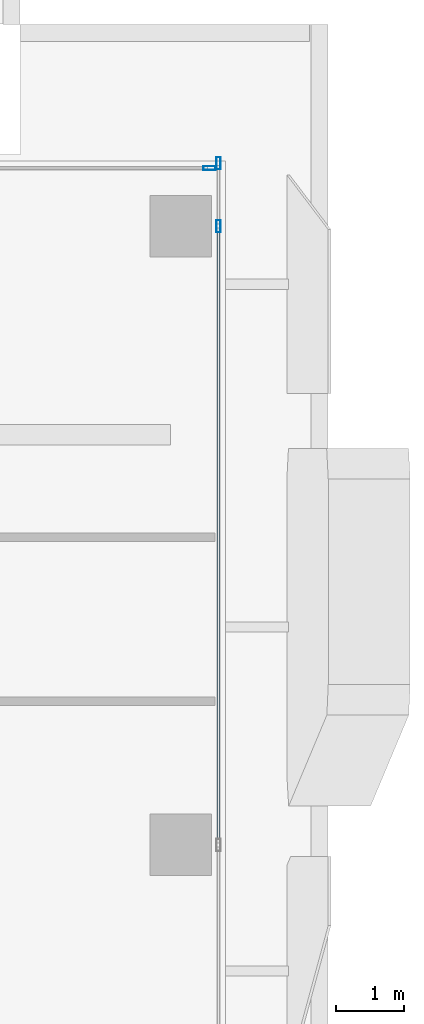
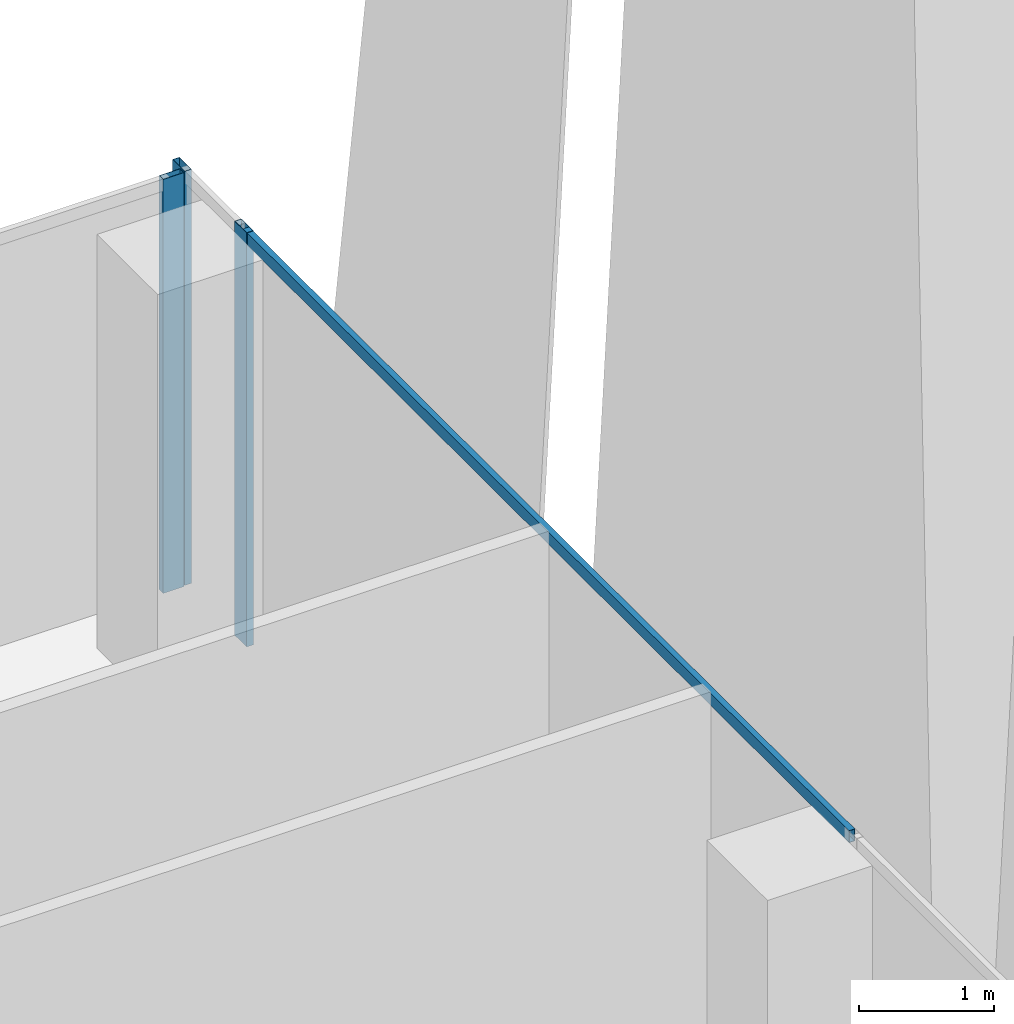
# One storey, part 19 of 33: 4 members, 2 elements without a shape of their own.
"""IFC4 building model written with IfcOpenShell, lengths in metres."""

import ifcopenshell
import ifcopenshell.guid

model = None  # the IFC model being written
_history = None  # IfcOwnerHistory: only IFC2X3 demands one
_inside = {}  # id of a spatial element -> (the spatial element, [elements in it])
_under = {}  # id of a project, library or spatial element -> (it, [spatial elements below it])
_declared = {}  # id of a project -> (the project, [libraries it declares])
_typed = {}  # id of a type object -> (the type object, [elements of that type])
_made_of = {}  # id of a material, layer set ... -> (it, [elements and type objects made of it])


def new_model(schema):
    """Start an empty IFC model of exactly this schema.

    Asked for "IFC4X3", IfcOpenShell would pick the latest addendum, in which some entities
    have other attributes; the version numbers below select the first issue.
    IFC2X3 requires an IfcOwnerHistory on every rooted entity: one is made here for all.
    """
    global model, _history
    if schema == "IFC4X3":
        model = ifcopenshell.file(schema_version=(4, 3, 0, 0))
    else:
        model = ifcopenshell.file(schema=schema)
    _inside.clear()
    _under.clear()
    _declared.clear()
    _typed.clear()
    _made_of.clear()
    _history = None
    if model.schema == "IFC2X3":
        org = make("IfcOrganization", Name="unknown")
        user = make(
            "IfcPersonAndOrganization",
            ThePerson=make("IfcPerson", FamilyName="unknown"),
            TheOrganization=org,
        )
        app = make(
            "IfcApplication",
            ApplicationDeveloper=org,
            Version="unknown",
            ApplicationFullName="unknown",
            ApplicationIdentifier="unknown",
        )
        _history = make(
            "IfcOwnerHistory",
            OwningUser=user,
            OwningApplication=app,
            ChangeAction="ADDED",
            CreationDate=0,
        )
    return model


def make(cls, **values):
    """One entity of the class cls with the attributes given. An attribute that is None is left unset."""
    return model.create_entity(
        cls, **{name: value for name, value in values.items() if value is not None}
    )


def rooted(cls, **values):
    """An entity with a GlobalId (a new one), such as an element, a storey or a relation."""
    return make(cls, GlobalId=ifcopenshell.guid.new(), OwnerHistory=_history, **values)


def si_unit(unit_type, name, prefix=None):
    """IfcSIUnit, for example si_unit("LENGTHUNIT", "METRE", prefix="MILLI")."""
    return make("IfcSIUnit", UnitType=unit_type, Prefix=prefix, Name=name)


def assignment(units):
    """IfcUnitAssignment: the units of a project."""
    return None if units is None else make("IfcUnitAssignment", Units=units)


def point(xyz):
    """IfcCartesianPoint."""
    return None if xyz is None else make("IfcCartesianPoint", Coordinates=xyz)


def direction(xyz):
    """IfcDirection."""
    return None if xyz is None else make("IfcDirection", DirectionRatios=xyz)


def frame(location, z_axis=None, x_axis=None):
    """IfcAxis2Placement3D, a coordinate frame: its origin and axes. An axis left out is left unset."""
    return make(
        "IfcAxis2Placement3D",
        Location=point(location),
        Axis=direction(z_axis),
        RefDirection=direction(x_axis),
    )


def frame_2d(location, x_axis=None):
    """IfcAxis2Placement2D, a coordinate frame in the plane: its origin and x axis."""
    return make(
        "IfcAxis2Placement2D", Location=point(location), RefDirection=direction(x_axis)
    )


def origin():
    """The frame at (0, 0, 0) with its axes left unset."""
    return frame((0.0, 0.0, 0.0))


def origin_2d():
    """The frame at (0, 0) in the plane with its x axis left unset."""
    return frame_2d((0.0, 0.0))


def place(relative_to, where):
    """IfcLocalPlacement: puts the frame where relative to a parent placement (None: the world)."""
    return make(
        "IfcLocalPlacement", PlacementRelTo=relative_to, RelativePlacement=where
    )


def context(
    kind, dimensions, precision=None, world=None, true_north=None, identifier=None
):
    """IfcGeometricRepresentationContext, for example the 3D "Model" context."""
    return make(
        "IfcGeometricRepresentationContext",
        ContextIdentifier=identifier,
        ContextType=kind,
        CoordinateSpaceDimension=dimensions,
        Precision=precision,
        WorldCoordinateSystem=world,
        TrueNorth=true_north,
    )


def subcontext(parent, identifier, kind, view, scale=None):
    """IfcGeometricRepresentationSubContext, for example "Body" below "Model"."""
    return make(
        "IfcGeometricRepresentationSubContext",
        ContextIdentifier=identifier,
        ContextType=kind,
        ParentContext=parent,
        TargetScale=scale,
        TargetView=view,
    )


def project(units=None, contexts=None):
    """IfcProject with its units and contexts."""
    return rooted(
        "IfcProject",
        Name="project",
        RepresentationContexts=contexts,
        UnitsInContext=assignment(units),
    )


def spatial(cls, under=None, at=None, **own):
    """A site, building, storey or space (cls), placed at a placement, below another one or the project."""
    s = rooted(cls, ObjectPlacement=at, **own)
    if under is not None:
        _under.setdefault(under.id(), (under, []))[1].append(s)
    return s


def profile(cls, at=None, kind="AREA", **sizes):
    """A parametric profile (cls). Its sizes go by their IFC names, for example OverallWidth=200.0."""
    return make(cls, ProfileType=kind, Position=at, **sizes)


def hollow_rectangle(**sizes):
    """IfcRectangleHollowProfileDef."""
    return profile("IfcRectangleHollowProfileDef", **sizes)


def extrude(swept, where, along, depth):
    """IfcExtrudedAreaSolid: the profile swept, set in the frame where, extruded along a direction by depth."""
    return make(
        "IfcExtrudedAreaSolid",
        SweptArea=swept,
        Position=where,
        ExtrudedDirection=direction(along),
        Depth=depth,
    )


def shape(context_of_items, identifier, shape_type, items):
    """IfcShapeRepresentation: the items that make up one representation, for example the "Body"."""
    return make(
        "IfcShapeRepresentation",
        ContextOfItems=context_of_items,
        RepresentationIdentifier=identifier,
        RepresentationType=shape_type,
        Items=items,
    )


def source(mapping_origin, context_of_items, identifier, shape_type, items):
    """IfcRepresentationMap: a shape defined once, which mapped items show again and again."""
    return make(
        "IfcRepresentationMap",
        MappingOrigin=mapping_origin,
        MappedRepresentation=shape(context_of_items, identifier, shape_type, items),
    )


def transform(
    local_origin,
    x_axis=None,
    y_axis=None,
    z_axis=None,
    scale=None,
    scale2=None,
    scale3=None,
    uniform=True,
):
    """IfcCartesianTransformationOperator3D, or its non-uniform kind. x_axis, y_axis, z_axis: its Axis1, 2, 3."""
    if uniform:
        return make(
            "IfcCartesianTransformationOperator3D",
            Axis1=direction(x_axis),
            Axis2=direction(y_axis),
            LocalOrigin=point(local_origin),
            Scale=scale,
            Axis3=direction(z_axis),
        )
    return make(
        "IfcCartesianTransformationOperator3DnonUniform",
        Axis1=direction(x_axis),
        Axis2=direction(y_axis),
        LocalOrigin=point(local_origin),
        Scale=scale,
        Axis3=direction(z_axis),
        Scale2=scale2,
        Scale3=scale3,
    )


def mapped(mapping_source, mapping_target):
    """IfcMappedItem: shows the shape of a source again, moved by a transform."""
    return make(
        "IfcMappedItem", MappingSource=mapping_source, MappingTarget=mapping_target
    )


def material(Name=None, Category=None):
    """IfcMaterial."""
    return make("IfcMaterial", Name=Name, Category=Category)


def material_profile(
    of_material, cross_section, Name=None, Category=None, Priority=None
):
    """IfcMaterialProfile: a cross section and its material."""
    return make(
        "IfcMaterialProfile",
        Name=Name,
        Material=of_material,
        Profile=cross_section,
        Priority=Priority,
        Category=Category,
    )


def profile_set(profiles, Name=None, composite=None):
    """IfcMaterialProfileSet."""
    return make(
        "IfcMaterialProfileSet",
        Name=Name,
        MaterialProfiles=profiles,
        CompositeProfile=composite,
    )


def made_of(thing, what):
    """Note that an element or type object is made of a material, layer set ...; save() writes the relation."""
    if what is not None:
        _made_of.setdefault(what.id(), (what, []))[1].append(thing)
    return thing


def type_object(cls, material=None, **own):
    """A type object (cls), such as IfcWallType, which elements share."""
    return made_of(rooted(cls, **own), material)


def element(
    cls,
    number,
    at=None,
    inside=None,
    cuts=None,
    type_object=None,
    material=None,
    context=None,
    identifier="Body",
    shape_type=None,
    held_by="IfcProductDefinitionShape",
    body=None,
    shapes=None,
    **own,
):
    """One element of the class cls, such as IfcWall. Its Tag is "e" and its number.

    at: its placement. inside: the storey or other place that contains it. cuts: it is an
    opening in that element (IfcRelVoidsElement). A single representation is given by context,
    identifier, shape_type and body (its items); several are given by shapes. held_by: the class
    of the entity that holds the representations. save() writes the other relations.
    """
    e = rooted(cls, Tag="e%d" % number, ObjectPlacement=at, **own)
    if body is not None:
        shapes = [shape(context, identifier, shape_type, body)]
    if shapes is not None:
        e.Representation = make(held_by, Representations=shapes)
    if inside is not None:
        _inside.setdefault(inside.id(), (inside, []))[1].append(e)
    if cuts is not None:
        rooted(
            "IfcRelVoidsElement", RelatingBuildingElement=cuts, RelatedOpeningElement=e
        )
    if type_object is not None:
        _typed.setdefault(type_object.id(), (type_object, []))[1].append(e)
    return made_of(e, material)


def aggregate(whole, parts):
    """IfcRelAggregates: a whole, such as a stair, and the parts it consists of."""
    return rooted("IfcRelAggregates", RelatingObject=whole, RelatedObjects=parts)


def save(model, path):
    """Write the relations noted so far, then the file.

    IfcRelAggregates (storeys below a building ...), IfcRelContainedInSpatialStructure (elements
    in a storey), IfcRelDefinesByType, IfcRelAssociatesMaterial and IfcRelDeclares: one each for
    every whole, place, type object, material and project.
    """
    for whole, parts in _under.values():
        aggregate(whole, parts)
    for where, things in _inside.values():
        rooted(
            "IfcRelContainedInSpatialStructure",
            RelatedElements=things,
            RelatingStructure=where,
        )
    for kind, things in _typed.values():
        rooted("IfcRelDefinesByType", RelatedObjects=things, RelatingType=kind)
    for what, things in _made_of.values():
        rooted("IfcRelAssociatesMaterial", RelatedObjects=things, RelatingMaterial=what)
    for by, libraries in _declared.values():
        rooted("IfcRelDeclares", RelatingContext=by, RelatedDefinitions=libraries)
    model.write(path)


model = new_model("IFC4")

# Units and contexts
model_context = context("Model", 3, precision=1e-05, world=origin(), true_north=direction((0.0, 1.0)))
body_context = subcontext(model_context, "Body", "Model", "MODEL_VIEW")
ifc_project = project(units=[si_unit("LENGTHUNIT", "METRE"), si_unit("AREAUNIT", "SQUARE_METRE"), si_unit("VOLUMEUNIT", "CUBIC_METRE"), si_unit("PLANEANGLEUNIT", "RADIAN"), si_unit("MASSUNIT", "GRAM", prefix="KILO")], contexts=[model_context])

# Site, building, storey
site_placement = place(None, origin())
site = spatial("IfcSite", under=ifc_project, at=site_placement, CompositionType="ELEMENT")
building_placement = place(site_placement, origin())
building = spatial("IfcBuilding", under=site, at=building_placement, Name="Khomas Fold Tower", CompositionType="ELEMENT")
storey_placement = place(building_placement, frame((0.0, 0.0, 222.199951171875)))
storey = spatial("IfcBuildingStorey", under=building, at=storey_placement, Name="L49", CompositionType="ELEMENT", Elevation=222.199951171875)

# Curtain wall, members
ifc_material_1 = material(Name="Aluminium framed double glazing", Category="aluminium")
curtain_wall_type = type_object("IfcCurtainWallType", Name="SK-Unitised clear-glass wall, office floors CW2", PredefinedType="NOTDEFINED", material=ifc_material_1)
curtain_wall_1_placement = place(storey_placement, origin())
curtain_wall_1 = element("IfcCurtainWall", 1, at=curtain_wall_1_placement, inside=storey, type_object=curtain_wall_type, Name="CW2 run L49 03-1", PredefinedType="NOTDEFINED")
ifc_material_2 = material(Name="Aluminium", Category="aluminium")
ifc_material_profile_1 = material_profile(ifc_material_2, hollow_rectangle(XDim=0.06005859375, YDim=0.179931640625, WallThickness=0.00390625, at=origin_2d()), Name="SK-Unitised clear-glass wall, office floors mullion CW2-M")
ifc_profile_set_1 = profile_set([ifc_material_profile_1], Name="Aluminium")
member_type_1 = type_object("IfcMemberType", Name="SK-Unitised clear-glass wall, office floors mullion CW2-M", PredefinedType="MULLION", material=ifc_profile_set_1)
shared_shape_1 = source(origin(), body_context, "Body", "SweptSolid", [
    extrude(hollow_rectangle(XDim=0.06005859375, YDim=0.179931640625, WallThickness=0.00390625, at=origin_2d()), origin(), (0.0, 0.0, 1.0), 3.75),
])
member_1_placement = place(storey_placement, frame((49.39990234375, 43.550048828125, 0.0), z_axis=(0.0, 0.0, 1.0), x_axis=(-1.0, 0.0, 0.0)))
member_1 = element("IfcMember", 2, at=member_1_placement, type_object=member_type_1, Name="CW2 mullion 4", PredefinedType="MULLION", context=body_context, shape_type="MappedRepresentation", body=[
    mapped(shared_shape_1, transform((0.0, 0.0, 0.0))),
])
member_2_placement = place(storey_placement, frame((49.39990234375, 44.469970703125, 0.0), z_axis=(0.0, 0.0, 1.0), x_axis=(-1.0, 0.0, 0.0)))
member_2 = element("IfcMember", 3, at=member_2_placement, type_object=member_type_1, Name="CW2 mullion 5", PredefinedType="MULLION", context=body_context, shape_type="MappedRepresentation", body=[
    mapped(shared_shape_1, transform((0.0, 0.0, 0.0))),
])

# Curtain wall, member
curtain_wall_2_placement = place(storey_placement, origin())
curtain_wall_2 = element("IfcCurtainWall", 4, at=curtain_wall_2_placement, inside=storey, type_object=curtain_wall_type, Name="CW2 corner return L49 04", PredefinedType="NOTDEFINED")
member_3_placement = place(storey_placement, frame((49.27001953125, 44.39990234375, 0.0), z_axis=(0.0, 0.0, 1.0), x_axis=(0.0, -1.0, 0.0)))
member_3 = element("IfcMember", 5, at=member_3_placement, type_object=member_type_1, Name="CW2 mullion 1", PredefinedType="MULLION", context=body_context, shape_type="MappedRepresentation", body=[
    mapped(shared_shape_1, transform((0.0, 0.0, 0.0))),
])
aggregate(curtain_wall_2, [member_3])

# Member
ifc_material_3 = material(Name="Aluminium", Category="aluminium")
ifc_material_profile_2 = material_profile(ifc_material_3, hollow_rectangle(XDim=0.050048828125, YDim=0.110107421875, WallThickness=0.00390625, at=origin_2d()), Name="SK-Unitised clear-glass wall, office floors transom CW2-T")
ifc_profile_set_2 = profile_set([ifc_material_profile_2], Name="Aluminium")
member_type_2 = type_object("IfcMemberType", Name="SK-Unitised clear-glass wall, office floors transom CW2-T", PredefinedType="USERDEFINED", material=ifc_profile_set_2)
shared_shape_2 = source(origin(), body_context, "Body", "SweptSolid", [
    extrude(hollow_rectangle(XDim=0.050048828125, YDim=0.110107421875, WallThickness=0.00390625, at=origin_2d()), origin(), (0.0, 0.0, 1.0), 8.989990234375),
])
member_4_placement = place(storey_placement, frame((49.39990234375, 34.530029296875, 3.695068359375), z_axis=(0.0, 1.0, 0.0), x_axis=(-1.0, 0.0, 0.0)))
member_4 = element("IfcMember", 6, at=member_4_placement, type_object=member_type_2, Name="CW2 transom 3", ObjectType="TRANSOM", PredefinedType="USERDEFINED", context=body_context, shape_type="MappedRepresentation", body=[
    mapped(shared_shape_2, transform((0.0, 0.0, 0.0))),
])

aggregate(curtain_wall_1, [member_1, member_2, member_4])

save(model, "model.ifc")
